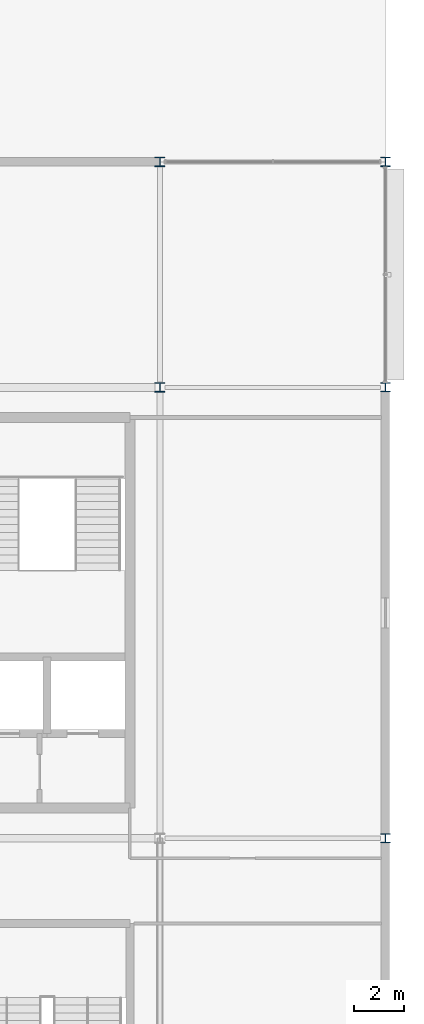
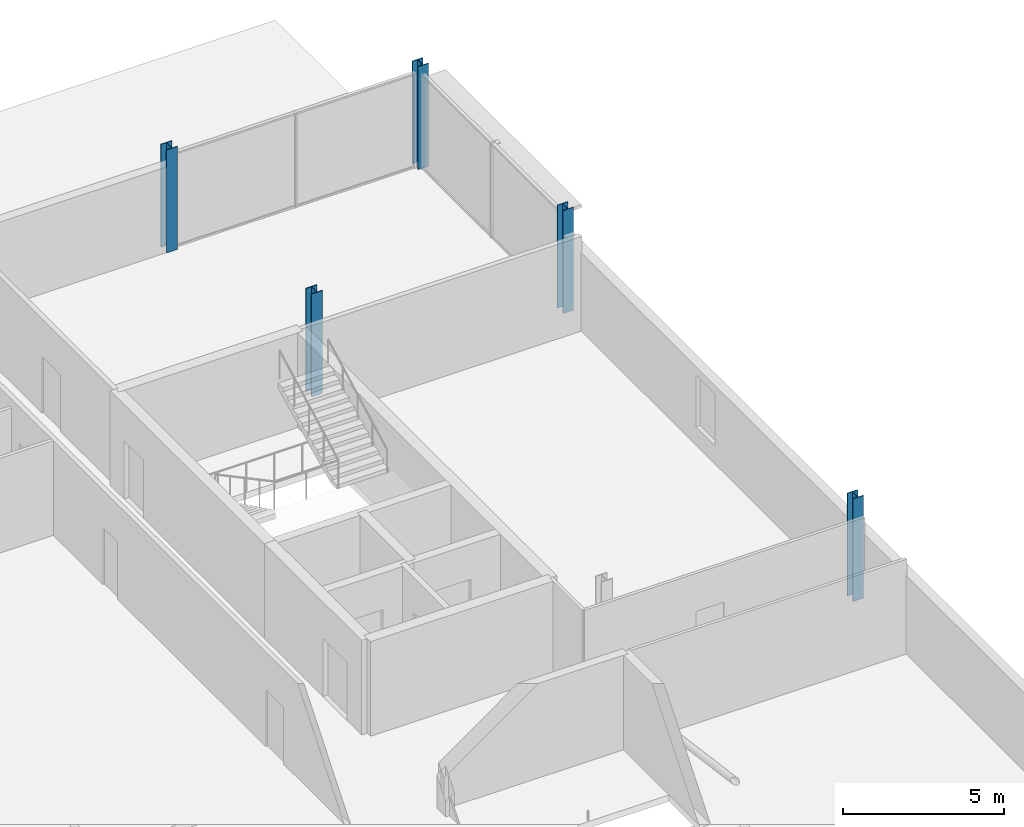
# One storey, part 17 of 105: 5 columns.
"""IFC4 building model written with IfcOpenShell, lengths in metres."""

from ifc_helpers import new_model, si_unit, direction, frame, origin, origin_2d, place, context, subcontext, project, spatial, i_section, extrude, material, material_profile, profile_set, type_object, element, save


model = new_model("IFC4")

# Units and contexts
model_context = context("Model", 3, precision=1e-05, world=origin(), true_north=direction((0.0, 1.0)))
body_context = subcontext(model_context, "Body", "Model", "MODEL_VIEW")
ifc_project = project(units=[si_unit("LENGTHUNIT", "METRE"), si_unit("AREAUNIT", "SQUARE_METRE"), si_unit("VOLUMEUNIT", "CUBIC_METRE"), si_unit("PLANEANGLEUNIT", "RADIAN"), si_unit("MASSUNIT", "GRAM", prefix="KILO")], contexts=[model_context])

# Site, building, storey
site_placement = place(None, origin())
site = spatial("IfcSite", under=ifc_project, at=site_placement, CompositionType="ELEMENT")
building_placement = place(site_placement, origin())
building = spatial("IfcBuilding", under=site, at=building_placement, Name="Kisiwana Market Hall", CompositionType="ELEMENT")
storey_placement = place(building_placement, frame((0.0, 0.0, 21.60009765625)))
storey = spatial("IfcBuildingStorey", under=building, at=storey_placement, Name="L04", CompositionType="ELEMENT", Elevation=21.60009765625)

# Columns
ifc_material_1 = material(Name="Steel S355", Category="steel")
ifc_material_profile_1 = material_profile(ifc_material_1, i_section(OverallWidth=0.37255859375, OverallDepth=0.3681640625, WebThickness=0.014404296875, FlangeThickness=0.023681640625, FilletRadius=0.01513671875, at=origin_2d()), Name="UC 356x368x177")
ifc_profile_set_1 = profile_set([ifc_material_profile_1], Name="Steel S355")
column_type_1 = type_object("IfcColumnType", Name="COL-STL-UC177", PredefinedType="COLUMN", material=ifc_profile_set_1)
for number, where, z_axis, x_axis, name in (
    (1, (198.0, 84.0, 0.0), (0.0, 0.0, 1.0), (1.0, 0.0, 0.0), "Column L/23 (L04) C-0875"),
    (2, (198.0, 102.0, 0.0), (0.0, 0.0, 1.0), (1.0, 0.0, 0.0), "Column N/23 (L04) C-0876"),
    (3, (198.0, 111.0, 0.0), (0.0, 0.0, 1.0), (1.0, 0.0, 0.0), "Column P/23 (L04) C-0877"),
):
    element("IfcColumn", number, at=place(storey_placement, frame(where, z_axis=z_axis, x_axis=x_axis)), inside=storey, type_object=column_type_1, Name=name, PredefinedType="COLUMN", context=body_context, shape_type="SweptSolid", body=[
        extrude(i_section(OverallWidth=0.37255859375, OverallDepth=0.3681640625, WebThickness=0.014404296875, FlangeThickness=0.023681640625, FilletRadius=0.01513671875, at=origin_2d()), origin(), (0.0, 0.0, 1.0), 3.89990234375),
    ])
ifc_material_2 = material(Name="Steel S355", Category="steel")
ifc_material_profile_2 = material_profile(ifc_material_2, i_section(OverallWidth=0.394775390625, OverallDepth=0.381103515625, WebThickness=0.018310546875, FlangeThickness=0.0302734375, at=origin_2d()), Name="UC 356x406x235")
ifc_profile_set_2 = profile_set([ifc_material_profile_2], Name="Steel S355")
column_type_2 = type_object("IfcColumnType", Name="COL-STL-UC235", PredefinedType="COLUMN", material=ifc_profile_set_2)
for number, where, z_axis, x_axis, name in (
    (4, (189.0, 102.0, 0.0), (0.0, 0.0, 1.0), (1.0, 0.0, 0.0), "Column N/22 (L04) C-0869"),
    (5, (189.0, 111.0, 0.0), (0.0, 0.0, 1.0), (1.0, 0.0, 0.0), "Column P/22 (L04) C-0870"),
):
    element("IfcColumn", number, at=place(storey_placement, frame(where, z_axis=z_axis, x_axis=x_axis)), inside=storey, type_object=column_type_2, Name=name, PredefinedType="COLUMN", context=body_context, shape_type="SweptSolid", body=[
        extrude(i_section(OverallWidth=0.394775390625, OverallDepth=0.381103515625, WebThickness=0.018310546875, FlangeThickness=0.0302734375, at=origin_2d()), origin(), (0.0, 0.0, 1.0), 3.89990234375),
    ])

save(model, "model.ifc")
